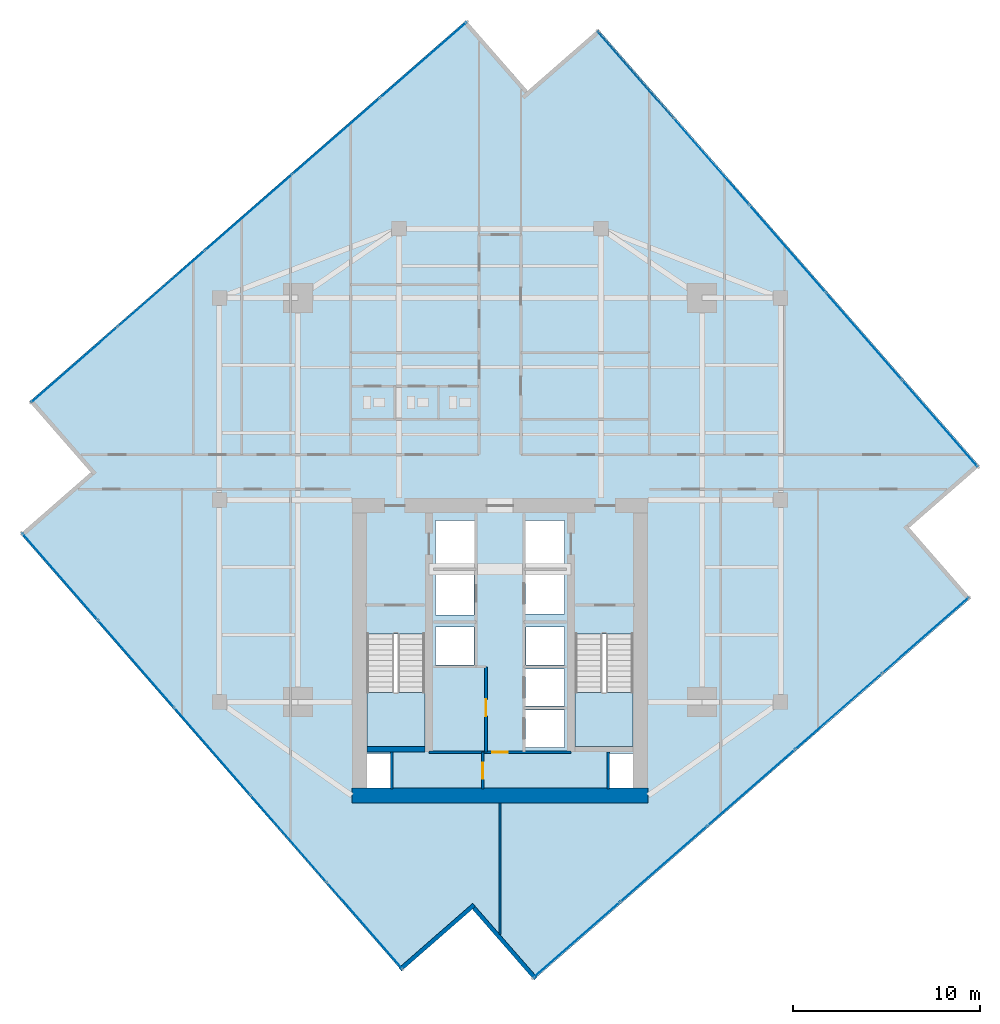
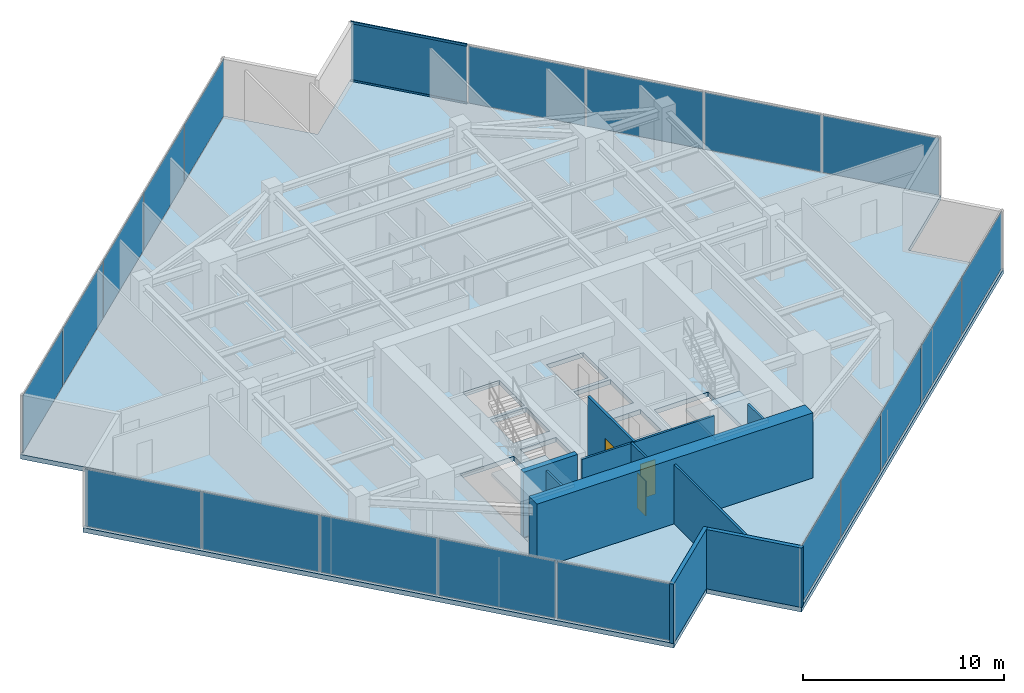
# One storey, part 19 of 24: 20 plates, 10 walls, 3 doors, 3 slabs, 2 members, 3 openings, 6 elements without a shape of their own.
"""IFC4 building model written with IfcOpenShell, lengths in metres."""

from ifc_helpers import new_model, si_unit, direction, frame, frame_2d, origin, origin_2d, place, context, subcontext, project, spatial, polyline, rectangle, hollow_rectangle, outline, extrude, source, transform, mapped, material, layer, layer_set, material_profile, profile_set, type_object, type_shapes, element, fill, aggregate, save


model = new_model("IFC4")

# Units and contexts
model_context = context("Model", 3, precision=1e-05, world=origin(), true_north=direction((0.0, 1.0)))
body_context = subcontext(model_context, "Body", "Model", "MODEL_VIEW")
ifc_project = project(units=[si_unit("LENGTHUNIT", "METRE"), si_unit("AREAUNIT", "SQUARE_METRE"), si_unit("VOLUMEUNIT", "CUBIC_METRE"), si_unit("PLANEANGLEUNIT", "RADIAN"), si_unit("MASSUNIT", "GRAM", prefix="KILO")], contexts=[model_context])

# Site, building, storey
site_placement = place(None, origin())
site = spatial("IfcSite", under=ifc_project, at=site_placement, CompositionType="ELEMENT")
building_placement = place(site_placement, origin())
building = spatial("IfcBuilding", under=site, at=building_placement, Name="Krantzveldt Concourse Tower", CompositionType="ELEMENT")
storey_placement = place(building_placement, frame((0.0, 0.0, 258.64990234375)))
storey = spatial("IfcBuildingStorey", under=building, at=storey_placement, Name="L63", CompositionType="ELEMENT", Elevation=258.64990234375)

# Curtain wall, members
ifc_material_1 = material(Name="Anodised aluminium 6063-T6", Category="aluminium")
curtain_wall_type = type_object("IfcCurtainWallType", Name="CW3", PredefinedType="USERDEFINED", material=ifc_material_1)
curtain_wall_1_placement = place(storey_placement, origin())
curtain_wall_1 = element("IfcCurtainWall", 1, at=curtain_wall_1_placement, inside=storey, type_object=curtain_wall_type, Name="CW-L63-F10", ObjectType="UNITISED CURTAIN WALL", PredefinedType="USERDEFINED")
ifc_material_profile = material_profile(ifc_material_1, hollow_rectangle(XDim=0.070068359375, YDim=0.139892578125, WallThickness=0.0048828125, at=origin_2d()), Name="Anodised aluminium 6063-T6", Category="aluminium")
ifc_profile_set = profile_set([ifc_material_profile], Name="Anodised aluminium 6063-T6 - ALU-TRAN 140x70x5")
member_type = type_object("IfcMemberType", Name="CW-TRN-150", PredefinedType="USERDEFINED", material=ifc_profile_set)
shared_shape_1 = source(origin(), body_context, "Body", "SweptSolid", [
    extrude(hollow_rectangle(XDim=0.070068359375, YDim=0.139892578125, WallThickness=0.0048828125, at=origin_2d()), origin(), (0.0, 0.0, 1.0), 6.094970703125),
])
type_shapes(member_type, [shared_shape_1])
member_1_placement = place(storey_placement, frame((45.234619140625, 47.155517578125, 0.03515625), z_axis=(-0.657681823072, 0.753295838035, 0.0), x_axis=(-0.753295838035, -0.657681823072, 0.0)))
member_1 = element("IfcMember", 2, at=member_1_placement, type_object=member_type, Name="CW-Z34 transom 5.1", ObjectType="TRANSOM", PredefinedType="USERDEFINED", context=body_context, shape_type="MappedRepresentation", body=[
    mapped(shared_shape_1, transform((0.0, 0.0, 0.0), x_axis=(1.0, 0.0, 0.0), y_axis=(0.0, 1.0, 0.0), z_axis=(0.0, 0.0, 1.0), scale=1.0)),
])
member_2_placement = place(storey_placement, frame((45.234619140625, 47.155517578125, 3.565185546875), z_axis=(-0.657681823072, 0.753295838035, 0.0), x_axis=(-0.753295838035, -0.657681823072, 0.0)))
member_2 = element("IfcMember", 3, at=member_2_placement, type_object=member_type, Name="CW-Z34 transom 5.2", ObjectType="TRANSOM", PredefinedType="USERDEFINED", context=body_context, shape_type="MappedRepresentation", body=[
    mapped(shared_shape_1, transform((0.0, 0.0, 0.0), x_axis=(1.0, 0.0, 0.0), y_axis=(0.0, 1.0, 0.0), z_axis=(0.0, 0.0, 1.0), scale=1.0)),
])

# Stair, slab
ifc_material_2 = material(Name="Precast concrete C40/50", Category="concrete")
stair_type = type_object("IfcStairType", Name="STR-CORE-DOGLEG", PredefinedType="HALF_TURN_STAIR", material=ifc_material_2)
stair_1_placement = place(storey_placement, origin())
stair_1 = element("IfcStair", 4, at=stair_1_placement, inside=storey, type_object=stair_type, Name="L63 Protected Escape Stair ST-1", PredefinedType="HALF_TURN_STAIR")
ifc_layer_1 = layer(ifc_material_2, 0.199951171875, Name="Precast concrete C40/50", Category="concrete")
ifc_layer_set_1 = layer_set([ifc_layer_1], Name="Precast concrete C40/50 (SL-LANDING-200)")
slab_type_1 = type_object("IfcSlabType", Name="SL-LANDING-200", PredefinedType="LANDING", material=ifc_layer_set_1)
slab_1_placement = place(storey_placement, frame((0.0, 0.0, 1.775146484375)))
slab_1 = element("IfcSlab", 5, at=slab_1_placement, type_object=slab_type_1, Name="ST-1 landing 1", PredefinedType="LANDING", context=body_context, shape_type="SweptSolid", body=[
    extrude(outline(polyline([(28.8798828125, 16.4150390625), (28.8798828125, 13.52001953125), (31.97998046875, 13.52001953125), (31.97998046875, 16.4150390625), (28.8798828125, 16.4150390625)])), origin(), (0.0, 0.0, 1.0), 0.199951171875),
])
aggregate(stair_1, [slab_1])

stair_2_placement = place(storey_placement, origin())
stair_2 = element("IfcStair", 6, at=stair_2_placement, inside=storey, type_object=stair_type, Name="L63 Protected Escape Stair ST-2", PredefinedType="HALF_TURN_STAIR")
slab_2_placement = place(storey_placement, frame((0.0, 0.0, 1.775146484375)))
slab_2 = element("IfcSlab", 7, at=slab_2_placement, type_object=slab_type_1, Name="ST-2 landing 1", PredefinedType="LANDING", context=body_context, shape_type="SweptSolid", body=[
    extrude(outline(polyline([(40.02001953125, 16.4150390625), (40.02001953125, 13.52001953125), (43.1201171875, 13.52001953125), (43.1201171875, 16.4150390625), (40.02001953125, 16.4150390625)])), origin(), (0.0, 0.0, 1.0), 0.199951171875),
])
aggregate(stair_2, [slab_2])

# Slab
ifc_material_3 = material(Name="Concrete C40/50", Category="concrete")
ifc_layer_2 = layer(ifc_material_3, 0.280029296875, Name="Concrete C40/50", Category="concrete")
ifc_layer_set_2 = layer_set([ifc_layer_2], Name="Concrete C40/50 (SL-SL-TWR280)")
slab_type_2 = type_object("IfcSlabType", Name="SL-SL-TWR280", PredefinedType="FLOOR", material=ifc_layer_set_2)
slab_3_placement = place(storey_placement, frame((0.0, 0.0, -0.27978515625)))
element("IfcSlab", 8, at=slab_3_placement, inside=storey, type_object=slab_type_2, Name="SL-L63-MAIN", PredefinedType="FLOOR", context=body_context, shape_type="SweptSolid", body=[
    extrude(outline(polyline([(37.4814453125, 48.5703125), (34.19287109375, 52.336669921875), (10.84130859375, 31.94775390625), (14.1298828125, 28.181396484375), (10.363525390625, 24.892822265625), (30.752197265625, 1.541259765625), (34.5185546875, 4.829833984375), (37.80712890625, 1.0634765625), (61.15869140625, 21.4521484375), (57.8701171875, 25.21875), (61.636474609375, 28.507080078125), (41.247802734375, 51.858642578125), (37.4814453125, 48.5703125)]), holes=[polyline([(28.8798828125, 19.547607421875), (28.8798828125, 13.52001953125), (31.97998046875, 13.52001953125), (31.97998046875, 19.547607421875), (28.8798828125, 19.547607421875)]), polyline([(40.02001953125, 19.547607421875), (40.02001953125, 13.52001953125), (43.1201171875, 13.52001953125), (43.1201171875, 19.547607421875), (40.02001953125, 19.547607421875)]), polyline([(32.550048828125, 23.10009765625), (34.64990234375, 23.10009765625), (34.64990234375, 25.60009765625), (32.550048828125, 25.60009765625), (32.550048828125, 23.10009765625)]), polyline([(37.35009765625, 23.10009765625), (39.449951171875, 23.10009765625), (39.449951171875, 25.60009765625), (37.35009765625, 25.60009765625), (37.35009765625, 23.10009765625)]), polyline([(37.35009765625, 20.60009765625), (39.449951171875, 20.60009765625), (39.449951171875, 22.89990234375), (37.35009765625, 22.89990234375), (37.35009765625, 20.60009765625)]), polyline([(37.35009765625, 13.47998046875), (39.449951171875, 13.47998046875), (39.449951171875, 15.47998046875), (37.35009765625, 15.47998046875), (37.35009765625, 13.47998046875)]), polyline([(37.35009765625, 15.679931640625), (39.449951171875, 15.679931640625), (39.449951171875, 17.679931640625), (37.35009765625, 17.679931640625), (37.35009765625, 15.679931640625)]), polyline([(32.550048828125, 20.550048828125), (34.6201171875, 20.550048828125), (34.6201171875, 22.89990234375), (32.550048828125, 22.89990234375), (32.550048828125, 20.550048828125)]), polyline([(32.550048828125, 17.8798828125), (34.6201171875, 17.8798828125), (34.6201171875, 19.919921875), (32.550048828125, 19.919921875), (32.550048828125, 17.8798828125)]), polyline([(37.3798828125, 17.8798828125), (39.449951171875, 17.8798828125), (39.449951171875, 19.919921875), (37.3798828125, 19.919921875), (37.3798828125, 17.8798828125)]), polyline([(28.8798828125, 11.320068359375), (30.139892578125, 11.320068359375), (30.139892578125, 13.159912109375), (28.8798828125, 13.159912109375), (28.8798828125, 11.320068359375)]), polyline([(41.860107421875, 11.320068359375), (43.1201171875, 11.320068359375), (43.1201171875, 13.159912109375), (41.860107421875, 13.159912109375), (41.860107421875, 11.320068359375)])]), origin(), (0.0, 0.0, 1.0), 0.27978515625),
])

# Curtain wall, plates
curtain_wall_2_placement = place(storey_placement, origin())
curtain_wall_2 = element("IfcCurtainWall", 9, at=curtain_wall_2_placement, inside=storey, type_object=curtain_wall_type, Name="CW-L63-F01", ObjectType="UNITISED CURTAIN WALL", PredefinedType="USERDEFINED")
ifc_material_4 = material(Name="Bronze-tinted laminated low-E IGU glass", Category="glass")
ifc_layer_3 = layer(ifc_material_4, 0.031982421875, Name="Bronze-tinted laminated low-E IGU glass", Category="glass")
ifc_layer_set_3 = layer_set([ifc_layer_3], Name="Bronze-tinted laminated low-E IGU glass (CW-GLZ-32)")
plate_type = type_object("IfcPlateType", Name="CW-GLZ-32", PredefinedType="CURTAIN_PANEL", material=ifc_layer_set_3)
shared_shape_2 = source(origin(), body_context, "Body", "SweptSolid", [
    extrude(rectangle(XDim=6.094970703125, YDim=0.031982421875, at=origin_2d()), origin(), (0.0, 0.0, 1.0), 3.4599609375),
])
plate_1_placement = place(storey_placement, frame((31.90380859375, 50.218505859375, 0.070068359375), z_axis=(0.0, 0.0, 1.0), x_axis=(-0.753276529034, -0.657703938567, 0.0)))
plate_1 = element("IfcPlate", 10, at=plate_1_placement, type_object=plate_type, Name="CW-Z34 panel 1.1", PredefinedType="CURTAIN_PANEL", context=body_context, shape_type="MappedRepresentation", body=[
    mapped(shared_shape_2, transform((0.0, 0.0, 0.0), x_axis=(1.0, 0.0, 0.0), y_axis=(0.0, 1.0, 0.0), z_axis=(0.0, 0.0, 1.0), scale=1.0)),
])
plate_2_placement = place(storey_placement, frame((13.248779296875, 33.930419921875, 0.070068359375), z_axis=(0.0, 0.0, 1.0), x_axis=(-0.753276529034, -0.657703938567, 0.0)))
plate_2 = element("IfcPlate", 11, at=plate_2_placement, type_object=plate_type, Name="CW-Z34 panel 5.1", PredefinedType="CURTAIN_PANEL", context=body_context, shape_type="MappedRepresentation", body=[
    mapped(shared_shape_2, transform((0.0, 0.0, 0.0), x_axis=(1.0, 0.0, 0.0), y_axis=(0.0, 1.0, 0.0), z_axis=(0.0, 0.0, 1.0), scale=1.0)),
])

curtain_wall_3_placement = place(storey_placement, origin())
curtain_wall_3 = element("IfcCurtainWall", 12, at=curtain_wall_3_placement, inside=storey, type_object=curtain_wall_type, Name="CW-L63-F04", ObjectType="UNITISED CURTAIN WALL", PredefinedType="USERDEFINED")
plate_3_placement = place(storey_placement, frame((12.481689453125, 22.603759765625, 0.070068359375), z_axis=(0.0, 0.0, 1.0), x_axis=(0.657703938567, -0.753276529034, 0.0)))
plate_3 = element("IfcPlate", 13, at=plate_3_placement, type_object=plate_type, Name="CW-Z34 panel 1.1", PredefinedType="CURTAIN_PANEL", context=body_context, shape_type="MappedRepresentation", body=[
    mapped(shared_shape_2, transform((0.0, 0.0, 0.0), x_axis=(1.0, 0.0, 0.0), y_axis=(0.0, 1.0, 0.0), z_axis=(0.0, 0.0, 1.0), scale=1.0)),
])
plate_4_placement = place(storey_placement, frame((28.76953125, 3.94873046875, 0.070068359375), z_axis=(0.0, 0.0, 1.0), x_axis=(0.657703938567, -0.753276529034, 0.0)))
plate_4 = element("IfcPlate", 14, at=plate_4_placement, type_object=plate_type, Name="CW-Z34 panel 5.1", PredefinedType="CURTAIN_PANEL", context=body_context, shape_type="MappedRepresentation", body=[
    mapped(shared_shape_2, transform((0.0, 0.0, 0.0), x_axis=(1.0, 0.0, 0.0), y_axis=(0.0, 1.0, 0.0), z_axis=(0.0, 0.0, 1.0), scale=1.0)),
])

curtain_wall_4_placement = place(storey_placement, origin())
curtain_wall_4 = element("IfcCurtainWall", 15, at=curtain_wall_4_placement, inside=storey, type_object=curtain_wall_type, Name="CW-L63-F07", ObjectType="UNITISED CURTAIN WALL", PredefinedType="USERDEFINED")
plate_5_placement = place(storey_placement, frame((40.09619140625, 3.181640625, 0.070068359375), z_axis=(0.0, 0.0, 1.0), x_axis=(0.753276529034, 0.657703938567, 0.0)))
plate_5 = element("IfcPlate", 16, at=plate_5_placement, type_object=plate_type, Name="CW-Z34 panel 1.1", PredefinedType="CURTAIN_PANEL", context=body_context, shape_type="MappedRepresentation", body=[
    mapped(shared_shape_2, transform((0.0, 0.0, 0.0), x_axis=(1.0, 0.0, 0.0), y_axis=(0.0, 1.0, 0.0), z_axis=(0.0, 0.0, 1.0), scale=1.0)),
])
plate_6_placement = place(storey_placement, frame((58.751220703125, 19.4697265625, 0.070068359375), z_axis=(0.0, 0.0, 1.0), x_axis=(0.753276529034, 0.657703938567, 0.0)))
plate_6 = element("IfcPlate", 17, at=plate_6_placement, type_object=plate_type, Name="CW-Z34 panel 5.1", PredefinedType="CURTAIN_PANEL", context=body_context, shape_type="MappedRepresentation", body=[
    mapped(shared_shape_2, transform((0.0, 0.0, 0.0), x_axis=(1.0, 0.0, 0.0), y_axis=(0.0, 1.0, 0.0), z_axis=(0.0, 0.0, 1.0), scale=1.0)),
])

# Plate
plate_7_placement = place(storey_placement, frame((59.518310546875, 30.79638671875, 0.070068359375), z_axis=(0.0, 0.0, 1.0), x_axis=(-0.657703938567, 0.753276529034, 0.0)))
plate_7 = element("IfcPlate", 18, at=plate_7_placement, type_object=plate_type, Name="CW-Z34 panel 1.1", PredefinedType="CURTAIN_PANEL", context=body_context, shape_type="MappedRepresentation", body=[
    mapped(shared_shape_2, transform((0.0, 0.0, 0.0), x_axis=(1.0, 0.0, 0.0), y_axis=(0.0, 1.0, 0.0), z_axis=(0.0, 0.0, 1.0), scale=1.0)),
])

plate_8_placement = place(storey_placement, frame((43.23046875, 49.451171875, 0.070068359375), z_axis=(0.0, 0.0, 1.0), x_axis=(-0.657703938567, 0.753276529034, 0.0)))
plate_8 = element("IfcPlate", 19, at=plate_8_placement, type_object=plate_type, Name="CW-Z34 panel 5.1", PredefinedType="CURTAIN_PANEL", context=body_context, shape_type="MappedRepresentation", body=[
    mapped(shared_shape_2, transform((0.0, 0.0, 0.0), x_axis=(1.0, 0.0, 0.0), y_axis=(0.0, 1.0, 0.0), z_axis=(0.0, 0.0, 1.0), scale=1.0)),
])

shared_shape_3 = source(origin(), body_context, "Body", "SweptSolid", [
    extrude(rectangle(XDim=6.1298828125, YDim=0.031982421875, at=origin_2d()), origin(), (0.0, 0.0, 1.0), 3.4599609375),
])
type_shapes(plate_type, [shared_shape_2, shared_shape_3])
plate_9_placement = place(storey_placement, frame((27.24658203125, 46.152099609375, 0.070068359375), z_axis=(0.0, 0.0, 1.0), x_axis=(-0.753276529034, -0.657703938567, 0.0)))
plate_9 = element("IfcPlate", 20, at=plate_9_placement, type_object=plate_type, Name="CW-Z34 panel 2.1", PredefinedType="CURTAIN_PANEL", context=body_context, shape_type="MappedRepresentation", body=[
    mapped(shared_shape_3, transform((0.0, 0.0, 0.0), x_axis=(1.0, 0.0, 0.0), y_axis=(0.0, 1.0, 0.0), z_axis=(0.0, 0.0, 1.0), scale=1.0)),
])

plate_10_placement = place(storey_placement, frame((22.576171875, 42.074462890625, 0.070068359375), z_axis=(0.0, 0.0, 1.0), x_axis=(-0.753276529034, -0.657703938567, 0.0)))
plate_10 = element("IfcPlate", 21, at=plate_10_placement, type_object=plate_type, Name="CW-Z34 panel 3.1", PredefinedType="CURTAIN_PANEL", context=body_context, shape_type="MappedRepresentation", body=[
    mapped(shared_shape_3, transform((0.0, 0.0, 0.0), x_axis=(1.0, 0.0, 0.0), y_axis=(0.0, 1.0, 0.0), z_axis=(0.0, 0.0, 1.0), scale=1.0)),
])

plate_11_placement = place(storey_placement, frame((17.906005859375, 37.99658203125, 0.070068359375), z_axis=(0.0, 0.0, 1.0), x_axis=(-0.753276529034, -0.657703938567, 0.0)))
plate_11 = element("IfcPlate", 22, at=plate_11_placement, type_object=plate_type, Name="CW-Z34 panel 4.1", PredefinedType="CURTAIN_PANEL", context=body_context, shape_type="MappedRepresentation", body=[
    mapped(shared_shape_3, transform((0.0, 0.0, 0.0), x_axis=(1.0, 0.0, 0.0), y_axis=(0.0, 1.0, 0.0), z_axis=(0.0, 0.0, 1.0), scale=1.0)),
])

aggregate(curtain_wall_2, [plate_1, plate_9, plate_10, plate_11, plate_2])

plate_12_placement = place(storey_placement, frame((16.5478515625, 17.946533203125, 0.070068359375), z_axis=(0.0, 0.0, 1.0), x_axis=(0.657703938567, -0.753276529034, 0.0)))
plate_12 = element("IfcPlate", 23, at=plate_12_placement, type_object=plate_type, Name="CW-Z34 panel 2.1", PredefinedType="CURTAIN_PANEL", context=body_context, shape_type="MappedRepresentation", body=[
    mapped(shared_shape_3, transform((0.0, 0.0, 0.0), x_axis=(1.0, 0.0, 0.0), y_axis=(0.0, 1.0, 0.0), z_axis=(0.0, 0.0, 1.0), scale=1.0)),
])

plate_13_placement = place(storey_placement, frame((20.625732421875, 13.2763671875, 0.070068359375), z_axis=(0.0, 0.0, 1.0), x_axis=(0.657703938567, -0.753276529034, 0.0)))
plate_13 = element("IfcPlate", 24, at=plate_13_placement, type_object=plate_type, Name="CW-Z34 panel 3.1", PredefinedType="CURTAIN_PANEL", context=body_context, shape_type="MappedRepresentation", body=[
    mapped(shared_shape_3, transform((0.0, 0.0, 0.0), x_axis=(1.0, 0.0, 0.0), y_axis=(0.0, 1.0, 0.0), z_axis=(0.0, 0.0, 1.0), scale=1.0)),
])

plate_14_placement = place(storey_placement, frame((24.703369140625, 8.60595703125, 0.070068359375), z_axis=(0.0, 0.0, 1.0), x_axis=(0.657703938567, -0.753276529034, 0.0)))
plate_14 = element("IfcPlate", 25, at=plate_14_placement, type_object=plate_type, Name="CW-Z34 panel 4.1", PredefinedType="CURTAIN_PANEL", context=body_context, shape_type="MappedRepresentation", body=[
    mapped(shared_shape_3, transform((0.0, 0.0, 0.0), x_axis=(1.0, 0.0, 0.0), y_axis=(0.0, 1.0, 0.0), z_axis=(0.0, 0.0, 1.0), scale=1.0)),
])

aggregate(curtain_wall_3, [plate_3, plate_12, plate_13, plate_14, plate_4])

plate_15_placement = place(storey_placement, frame((44.75341796875, 7.247802734375, 0.070068359375), z_axis=(0.0, 0.0, 1.0), x_axis=(0.753276529034, 0.657703938567, 0.0)))
plate_15 = element("IfcPlate", 26, at=plate_15_placement, type_object=plate_type, Name="CW-Z34 panel 2.1", PredefinedType="CURTAIN_PANEL", context=body_context, shape_type="MappedRepresentation", body=[
    mapped(shared_shape_3, transform((0.0, 0.0, 0.0), x_axis=(1.0, 0.0, 0.0), y_axis=(0.0, 1.0, 0.0), z_axis=(0.0, 0.0, 1.0), scale=1.0)),
])

plate_16_placement = place(storey_placement, frame((49.423828125, 11.32568359375, 0.070068359375), z_axis=(0.0, 0.0, 1.0), x_axis=(0.753276529034, 0.657703938567, 0.0)))
plate_16 = element("IfcPlate", 27, at=plate_16_placement, type_object=plate_type, Name="CW-Z34 panel 3.1", PredefinedType="CURTAIN_PANEL", context=body_context, shape_type="MappedRepresentation", body=[
    mapped(shared_shape_3, transform((0.0, 0.0, 0.0), x_axis=(1.0, 0.0, 0.0), y_axis=(0.0, 1.0, 0.0), z_axis=(0.0, 0.0, 1.0), scale=1.0)),
])

plate_17_placement = place(storey_placement, frame((54.093994140625, 15.4033203125, 0.070068359375), z_axis=(0.0, 0.0, 1.0), x_axis=(0.753276529034, 0.657703938567, 0.0)))
plate_17 = element("IfcPlate", 28, at=plate_17_placement, type_object=plate_type, Name="CW-Z34 panel 4.1", PredefinedType="CURTAIN_PANEL", context=body_context, shape_type="MappedRepresentation", body=[
    mapped(shared_shape_3, transform((0.0, 0.0, 0.0), x_axis=(1.0, 0.0, 0.0), y_axis=(0.0, 1.0, 0.0), z_axis=(0.0, 0.0, 1.0), scale=1.0)),
])

aggregate(curtain_wall_4, [plate_5, plate_15, plate_16, plate_17, plate_6])

plate_18_placement = place(storey_placement, frame((55.4521484375, 35.453369140625, 0.070068359375), z_axis=(0.0, 0.0, 1.0), x_axis=(-0.657703938567, 0.753276529034, 0.0)))
plate_18 = element("IfcPlate", 29, at=plate_18_placement, type_object=plate_type, Name="CW-Z34 panel 2.1", PredefinedType="CURTAIN_PANEL", context=body_context, shape_type="MappedRepresentation", body=[
    mapped(shared_shape_3, transform((0.0, 0.0, 0.0), x_axis=(1.0, 0.0, 0.0), y_axis=(0.0, 1.0, 0.0), z_axis=(0.0, 0.0, 1.0), scale=1.0)),
])

plate_19_placement = place(storey_placement, frame((51.374267578125, 40.123779296875, 0.070068359375), z_axis=(0.0, 0.0, 1.0), x_axis=(-0.657703938567, 0.753276529034, 0.0)))
plate_19 = element("IfcPlate", 30, at=plate_19_placement, type_object=plate_type, Name="CW-Z34 panel 3.1", PredefinedType="CURTAIN_PANEL", context=body_context, shape_type="MappedRepresentation", body=[
    mapped(shared_shape_3, transform((0.0, 0.0, 0.0), x_axis=(1.0, 0.0, 0.0), y_axis=(0.0, 1.0, 0.0), z_axis=(0.0, 0.0, 1.0), scale=1.0)),
])

plate_20_placement = place(storey_placement, frame((47.296630859375, 44.7939453125, 0.070068359375), z_axis=(0.0, 0.0, 1.0), x_axis=(-0.657703938567, 0.753276529034, 0.0)))
plate_20 = element("IfcPlate", 31, at=plate_20_placement, type_object=plate_type, Name="CW-Z34 panel 4.1", PredefinedType="CURTAIN_PANEL", context=body_context, shape_type="MappedRepresentation", body=[
    mapped(shared_shape_3, transform((0.0, 0.0, 0.0), x_axis=(1.0, 0.0, 0.0), y_axis=(0.0, 1.0, 0.0), z_axis=(0.0, 0.0, 1.0), scale=1.0)),
])

aggregate(curtain_wall_1, [plate_7, plate_18, plate_19, plate_20, member_1, member_2, plate_8])

# Walls
ifc_layer_4 = layer(ifc_material_1, 0.219970703125, Name="Anodised aluminium 6063-T6", Category="aluminium")
ifc_layer_set_4 = layer_set([ifc_layer_4], Name="Anodised aluminium 6063-T6 (WL-EXT-NOTCH220)")
wall_type_1 = type_object("IfcWallType", Name="WL-EXT-NOTCH220", PredefinedType="ELEMENTEDWALL", material=ifc_layer_set_4)
wall_1_placement = place(storey_placement, frame((30.6611328125, 1.607666015625, 0.0), z_axis=(0.0, 0.0, 1.0), x_axis=(0.7532711863, 0.657710057617, 0.0)))
element("IfcWall", 32, at=wall_1_placement, inside=storey, type_object=wall_type_1, Name="EW-L63-NCH05", PredefinedType="ELEMENTEDWALL", context=body_context, shape_type="SweptSolid", body=[
    extrude(rectangle(XDim=5.2451171875, YDim=0.219970703125, at=frame_2d((2.62255859375, 0.0))), origin(), (0.0, 0.0, 1.0), 3.60009765625),
])
wall_2_placement = place(storey_placement, frame((34.6015625, 4.902099609375, 0.0), z_axis=(0.0, 0.0, 1.0), x_axis=(0.657706226339, -0.753274531518, 0.0)))
element("IfcWall", 33, at=wall_2_placement, inside=storey, type_object=wall_type_1, Name="EW-L63-NCH06", PredefinedType="ELEMENTEDWALL", context=body_context, shape_type="SweptSolid", body=[
    extrude(rectangle(XDim=5.02490234375, YDim=0.219970703125, at=frame_2d((2.512451171875, 0.0))), origin(), (0.0, 0.0, 1.0), 3.60009765625),
])

# Wall, opening, door
ifc_material_5 = material(Name="Fire-rated gypsum plasterboard on steel stud", Category="steel")
ifc_layer_5 = layer(ifc_material_5, 0.1201171875, Name="Fire-rated gypsum plasterboard on steel stud", Category="steel")
ifc_layer_set_5 = layer_set([ifc_layer_5], Name="Fire-rated gypsum plasterboard on steel stud (WL-PART-120)")
wall_type_2 = type_object("IfcWallType", Name="WL-PART-120", PredefinedType="PARTITIONING", material=ifc_layer_set_5)
wall_3_placement = place(storey_placement, frame((32.2099609375, 13.219970703125, 0.0), z_axis=(0.0, 0.0, 1.0), x_axis=(1.0, 0.0, 0.0)))
wall_3 = element("IfcWall", 34, at=wall_3_placement, inside=storey, type_object=wall_type_2, Name="WP-L63-CS2H", PredefinedType="PARTITIONING", context=body_context, shape_type="SweptSolid", body=[
    extrude(rectangle(XDim=7.580078125, YDim=0.1201171875, at=frame_2d((3.7900390625, 0.0))), origin(), (0.0, 0.0, 1.0), 3.60009765625),
])
opening_1_placement = place(wall_3_placement, frame((3.364990234375, 0.0, 0.0)))
opening_1 = element("IfcOpeningElement", 35, at=opening_1_placement, cuts=wall_3, Name="Opening D-IN085", PredefinedType="OPENING", context=body_context, shape_type="SweptSolid", body=[
    extrude(rectangle(XDim=0.85009765625, YDim=2.10009765625, at=frame_2d((0.425048828125, 1.050048828125))), frame((0.0, 0.070068359375, 0.0), z_axis=(0.0, -1.0, 0.0), x_axis=(1.0, 0.0, 0.0)), (0.0, 0.0, 1.0), 0.14013671875),
])
ifc_material_6 = material(Name="Hardwood timber", Category="wood")
door_type_1 = type_object("IfcDoorType", Name="DR-INT-850", OperationType="SINGLE_SWING_LEFT", PredefinedType="DOOR", material=ifc_material_6)
door_1_placement = place(opening_1_placement, origin())
door_1 = element("IfcDoor", 36, at=door_1_placement, inside=storey, type_object=door_type_1, Name="DR-L63-LLBS", OperationType="SINGLE_SWING_RIGHT", OverallHeight=2.10009765625, OverallWidth=0.85009765625, PredefinedType="DOOR", context=body_context, shape_type="SweptSolid", body=[
    extrude(rectangle(XDim=0.85009765625, YDim=2.10009765625, at=frame_2d((0.425048828125, 1.050048828125))), frame((0.0, 0.02490234375, 0.0), z_axis=(0.0, -1.0, 0.0), x_axis=(1.0, 0.0, 0.0)), (0.0, 0.0, 1.0), 0.050048828125),
])
fill(opening_1, door_1)

wall_4_placement = place(storey_placement, frame((35.080078125, 11.25, 0.0), z_axis=(0.0, 0.0, 1.0), x_axis=(0.0, 1.0, 0.0)))
wall_4 = element("IfcWall", 37, at=wall_4_placement, inside=storey, type_object=wall_type_2, Name="WP-L63-CSA-V", PredefinedType="PARTITIONING", context=body_context, shape_type="SweptSolid", body=[
    extrude(rectangle(XDim=1.969970703125, YDim=0.1201171875, at=frame_2d((0.98486328125, 0.0))), origin(), (0.0, 0.0, 1.0), 3.60009765625),
])
opening_2_placement = place(wall_4_placement, frame((0.544921875, 0.0, 0.0)))
opening_2 = element("IfcOpeningElement", 38, at=opening_2_placement, cuts=wall_4, Name="Opening D-IN085", PredefinedType="OPENING", context=body_context, shape_type="SweptSolid", body=[
    extrude(rectangle(XDim=0.85009765625, YDim=2.10009765625, at=frame_2d((0.425048828125, 1.050048828125))), frame((0.0, 0.070068359375, 0.0), z_axis=(0.0, -1.0, 0.0), x_axis=(1.0, 0.0, 0.0)), (0.0, 0.0, 1.0), 0.14013671875),
])
door_2_placement = place(opening_2_placement, origin())
door_2 = element("IfcDoor", 39, at=door_2_placement, inside=storey, type_object=door_type_1, Name="DR-L63-CSA1", OperationType="SINGLE_SWING_LEFT", OverallHeight=2.10009765625, OverallWidth=0.85009765625, PredefinedType="DOOR", context=body_context, shape_type="SweptSolid", body=[
    extrude(rectangle(XDim=0.85009765625, YDim=2.10009765625, at=frame_2d((0.425048828125, 1.050048828125))), frame((0.0, 0.02490234375, 0.0), z_axis=(0.0, -1.0, 0.0), x_axis=(1.0, 0.0, 0.0)), (0.0, 0.0, 1.0), 0.050048828125),
])
fill(opening_2, door_2)

# Wall
wall_5_placement = place(storey_placement, frame((36.0, 3.475341796875, 0.0), z_axis=(0.0, 0.0, 1.0), x_axis=(0.0, 1.0, 0.0)))
element("IfcWall", 40, at=wall_5_placement, inside=storey, type_object=wall_type_2, Name="WP-L63-SMID", PredefinedType="PARTITIONING", context=body_context, shape_type="SweptSolid", body=[
    extrude(rectangle(XDim=7.024658203125, YDim=0.1201171875, at=frame_2d((3.51220703125, 0.0))), origin(), (0.0, 0.0, 1.0), 3.60009765625),
])

# Wall, opening, door
ifc_layer_6 = layer(ifc_material_5, 0.139892578125, Name="Fire-rated gypsum plasterboard on steel stud", Category="steel")
ifc_layer_set_6 = layer_set([ifc_layer_6], Name="Fire-rated gypsum plasterboard on steel stud (WL-PART-FR140)")
wall_type_3 = type_object("IfcWallType", Name="WL-PART-FR140", PredefinedType="PARTITIONING", material=ifc_layer_set_6)
wall_6_placement = place(storey_placement, frame((35.25, 13.219970703125, 0.0), z_axis=(0.0, 0.0, 1.0), x_axis=(0.0, 1.0, 0.0)))
wall_6 = element("IfcWall", 41, at=wall_6_placement, inside=storey, type_object=wall_type_3, Name="WP-L63-RECW", PredefinedType="PARTITIONING", context=body_context, shape_type="SweptSolid", body=[
    extrude(rectangle(XDim=4.56005859375, YDim=0.139892578125, at=frame_2d((2.280029296875, 0.0))), origin(), (0.0, 0.0, 1.0), 3.60009765625),
])
opening_3_placement = place(wall_6_placement, frame((1.929931640625, 0.0, 0.0)))
opening_3 = element("IfcOpeningElement", 42, at=opening_3_placement, cuts=wall_6, Name="Opening D-FD090", PredefinedType="OPENING", context=body_context, shape_type="SweptSolid", body=[
    extrude(rectangle(XDim=0.89990234375, YDim=2.10009765625, at=frame_2d((0.449951171875, 1.050048828125))), frame((0.0, 0.080078125, 0.0), z_axis=(0.0, -1.0, 0.0), x_axis=(1.0, 0.0, 0.0)), (0.0, 0.0, 1.0), 0.159912109375),
])
door_type_2 = type_object("IfcDoorType", Name="DR-FD60-900", OperationType="SINGLE_SWING_LEFT", PredefinedType="DOOR", material=ifc_material_6)
door_3_placement = place(opening_3_placement, origin())
door_3 = element("IfcDoor", 43, at=door_3_placement, inside=storey, type_object=door_type_2, Name="DR-L63-RECW", OperationType="SINGLE_SWING_LEFT", OverallHeight=2.10009765625, OverallWidth=0.89990234375, PredefinedType="DOOR", context=body_context, shape_type="SweptSolid", body=[
    extrude(rectangle(XDim=0.89990234375, YDim=2.10009765625, at=frame_2d((0.449951171875, 1.050048828125))), frame((0.0, 0.02490234375, 0.0), z_axis=(0.0, -1.0, 0.0), x_axis=(1.0, 0.0, 0.0)), (0.0, 0.0, 1.0), 0.050048828125),
])
fill(opening_3, door_3)

# Walls
for number, where, z_axis, x_axis, name in (
    (44, (30.219970703125, 11.25, 0.0), (0.0, 0.0, 1.0), (0.0, 1.0, 0.0), "WP-L63-RSW"),
    (45, (41.780029296875, 11.25, 0.0), (0.0, 0.0, 1.0), (0.0, 1.0, 0.0), "WP-L63-RSE"),
):
    element("IfcWall", number, at=place(storey_placement, frame(where, z_axis=z_axis, x_axis=x_axis)), inside=storey, type_object=wall_type_3, Name=name, PredefinedType="PARTITIONING", context=body_context, shape_type="SweptSolid", body=[
        extrude(rectangle(XDim=1.969970703125, YDim=0.1201171875, at=frame_2d((0.98486328125, 0.0))), origin(), (0.0, 0.0, 1.0), 3.60009765625),
    ])
ifc_material_7 = material(Name="Concrete C50/60", Category="concrete")
ifc_layer_7 = layer(ifc_material_7, 0.300048828125, Name="Concrete C50/60", Category="concrete")
ifc_layer_set_7 = layer_set([ifc_layer_7], Name="Concrete C50/60 (WL-SHEAR-300)")
wall_type_4 = type_object("IfcWallType", Name="WL-SHEAR-300", PredefinedType="SHEAR", material=ifc_layer_set_7)
wall_7_placement = place(storey_placement, frame((28.8798828125, 13.3701171875, 0.0), z_axis=(0.0, 0.0, 1.0), x_axis=(1.0, 0.0, 0.0)))
element("IfcWall", 46, at=wall_7_placement, inside=storey, type_object=wall_type_4, Name="CW-L63-ST1S", PredefinedType="SHEAR", context=body_context, shape_type="SweptSolid", body=[
    extrude(rectangle(XDim=3.10009765625, YDim=0.300048828125, at=frame_2d((1.550048828125, 0.0))), origin(), (0.0, 0.0, 1.0), 3.9501953125),
])
ifc_material_8 = material(Name="Concrete C60/75", Category="concrete")
ifc_layer_8 = layer(ifc_material_8, 0.800048828125, Name="Concrete C60/75", Category="concrete")
ifc_layer_set_8 = layer_set([ifc_layer_8], Name="Concrete C60/75 (WL-SHEAR-800)")
wall_type_5 = type_object("IfcWallType", Name="WL-SHEAR-800", PredefinedType="SHEAR", material=ifc_layer_set_8)
wall_8_placement = place(storey_placement, frame((28.080078125, 10.89990234375, 0.0), z_axis=(0.0, 0.0, 1.0), x_axis=(1.0, 0.0, 0.0)))
element("IfcWall", 47, at=wall_8_placement, inside=storey, type_object=wall_type_5, Name="CW-L63-S", PredefinedType="SHEAR", context=body_context, shape_type="SweptSolid", body=[
    extrude(rectangle(XDim=15.83984375, YDim=0.800048828125, at=frame_2d((7.919921875, 0.0))), origin(), (0.0, 0.0, 1.0), 3.9501953125),
])

save(model, "model.ifc")
